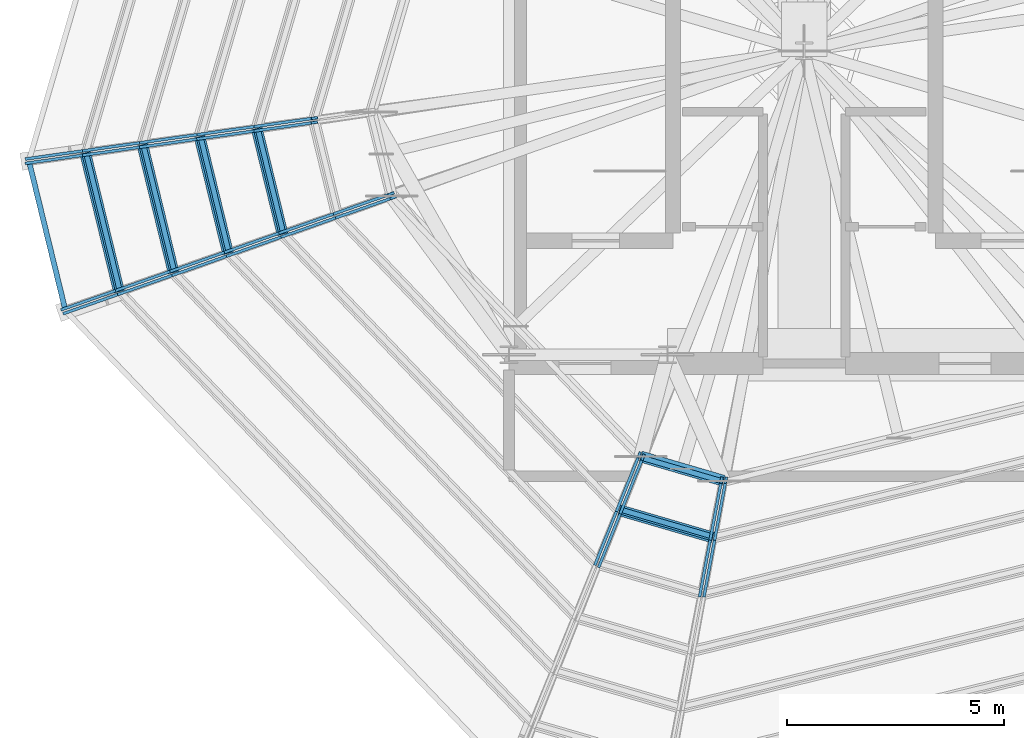
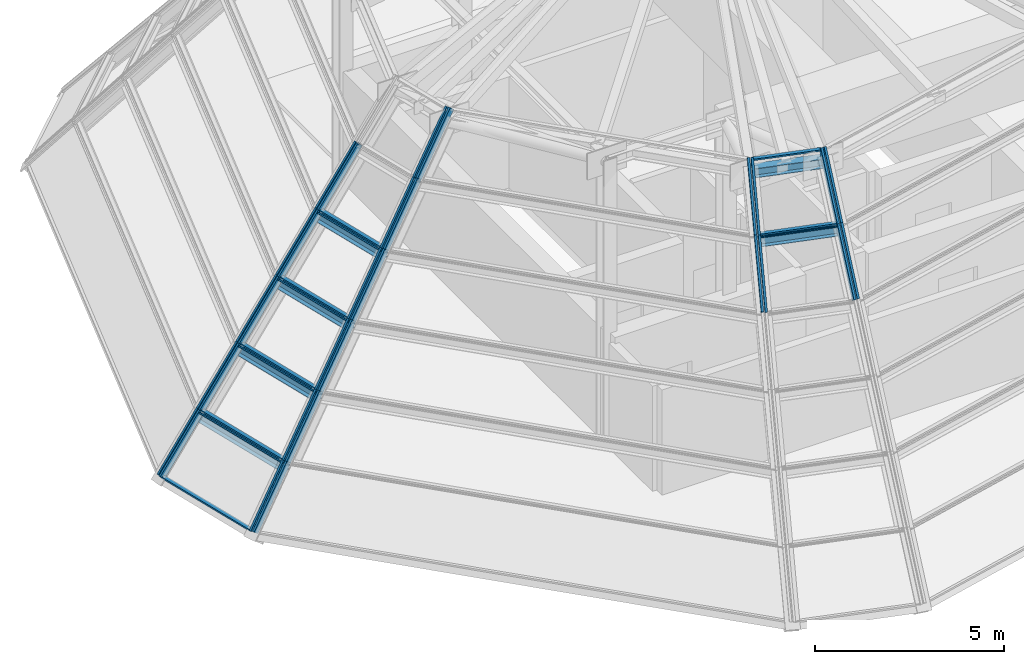
# One storey, part 2 of 13: 42 members, 6 beams, 21 elements without a shape of their own.
"""IFC4 building model written with IfcOpenShell, lengths in metres."""

import ifcopenshell
import ifcopenshell.guid

model = None  # the IFC model being written
_history = None  # IfcOwnerHistory: only IFC2X3 demands one
_inside = {}  # id of a spatial element -> (the spatial element, [elements in it])
_under = {}  # id of a project, library or spatial element -> (it, [spatial elements below it])
_declared = {}  # id of a project -> (the project, [libraries it declares])
_typed = {}  # id of a type object -> (the type object, [elements of that type])
_made_of = {}  # id of a material, layer set ... -> (it, [elements and type objects made of it])


def new_model(schema):
    """Start an empty IFC model of exactly this schema.

    Asked for "IFC4X3", IfcOpenShell would pick the latest addendum, in which some entities
    have other attributes; the version numbers below select the first issue.
    IFC2X3 requires an IfcOwnerHistory on every rooted entity: one is made here for all.
    """
    global model, _history
    if schema == "IFC4X3":
        model = ifcopenshell.file(schema_version=(4, 3, 0, 0))
    else:
        model = ifcopenshell.file(schema=schema)
    _inside.clear()
    _under.clear()
    _declared.clear()
    _typed.clear()
    _made_of.clear()
    _history = None
    if model.schema == "IFC2X3":
        org = make("IfcOrganization", Name="unknown")
        user = make(
            "IfcPersonAndOrganization",
            ThePerson=make("IfcPerson", FamilyName="unknown"),
            TheOrganization=org,
        )
        app = make(
            "IfcApplication",
            ApplicationDeveloper=org,
            Version="unknown",
            ApplicationFullName="unknown",
            ApplicationIdentifier="unknown",
        )
        _history = make(
            "IfcOwnerHistory",
            OwningUser=user,
            OwningApplication=app,
            ChangeAction="ADDED",
            CreationDate=0,
        )
    return model


def make(cls, **values):
    """One entity of the class cls with the attributes given. An attribute that is None is left unset."""
    return model.create_entity(
        cls, **{name: value for name, value in values.items() if value is not None}
    )


def rooted(cls, **values):
    """An entity with a GlobalId (a new one), such as an element, a storey or a relation."""
    return make(cls, GlobalId=ifcopenshell.guid.new(), OwnerHistory=_history, **values)


def si_unit(unit_type, name, prefix=None):
    """IfcSIUnit, for example si_unit("LENGTHUNIT", "METRE", prefix="MILLI")."""
    return make("IfcSIUnit", UnitType=unit_type, Prefix=prefix, Name=name)


def assignment(units):
    """IfcUnitAssignment: the units of a project."""
    return None if units is None else make("IfcUnitAssignment", Units=units)


def point(xyz):
    """IfcCartesianPoint."""
    return None if xyz is None else make("IfcCartesianPoint", Coordinates=xyz)


def direction(xyz):
    """IfcDirection."""
    return None if xyz is None else make("IfcDirection", DirectionRatios=xyz)


def frame(location, z_axis=None, x_axis=None):
    """IfcAxis2Placement3D, a coordinate frame: its origin and axes. An axis left out is left unset."""
    return make(
        "IfcAxis2Placement3D",
        Location=point(location),
        Axis=direction(z_axis),
        RefDirection=direction(x_axis),
    )


def frame_2d(location, x_axis=None):
    """IfcAxis2Placement2D, a coordinate frame in the plane: its origin and x axis."""
    return make(
        "IfcAxis2Placement2D", Location=point(location), RefDirection=direction(x_axis)
    )


def origin():
    """The frame at (0, 0, 0) with its axes left unset."""
    return frame((0.0, 0.0, 0.0))


def origin_2d():
    """The frame at (0, 0) in the plane with its x axis left unset."""
    return frame_2d((0.0, 0.0))


def place(relative_to, where):
    """IfcLocalPlacement: puts the frame where relative to a parent placement (None: the world)."""
    return make(
        "IfcLocalPlacement", PlacementRelTo=relative_to, RelativePlacement=where
    )


def context(
    kind, dimensions, precision=None, world=None, true_north=None, identifier=None
):
    """IfcGeometricRepresentationContext, for example the 3D "Model" context."""
    return make(
        "IfcGeometricRepresentationContext",
        ContextIdentifier=identifier,
        ContextType=kind,
        CoordinateSpaceDimension=dimensions,
        Precision=precision,
        WorldCoordinateSystem=world,
        TrueNorth=true_north,
    )


def subcontext(parent, identifier, kind, view, scale=None):
    """IfcGeometricRepresentationSubContext, for example "Body" below "Model"."""
    return make(
        "IfcGeometricRepresentationSubContext",
        ContextIdentifier=identifier,
        ContextType=kind,
        ParentContext=parent,
        TargetScale=scale,
        TargetView=view,
    )


def project(units=None, contexts=None):
    """IfcProject with its units and contexts."""
    return rooted(
        "IfcProject",
        Name="project",
        RepresentationContexts=contexts,
        UnitsInContext=assignment(units),
    )


def spatial(cls, under=None, at=None, **own):
    """A site, building, storey or space (cls), placed at a placement, below another one or the project."""
    s = rooted(cls, ObjectPlacement=at, **own)
    if under is not None:
        _under.setdefault(under.id(), (under, []))[1].append(s)
    return s


def profile(cls, at=None, kind="AREA", **sizes):
    """A parametric profile (cls). Its sizes go by their IFC names, for example OverallWidth=200.0."""
    return make(cls, ProfileType=kind, Position=at, **sizes)


def hollow_rectangle(**sizes):
    """IfcRectangleHollowProfileDef."""
    return profile("IfcRectangleHollowProfileDef", **sizes)


def i_section(**sizes):
    """IfcIShapeProfileDef."""
    return profile("IfcIShapeProfileDef", **sizes)


def extrude(swept, where, along, depth):
    """IfcExtrudedAreaSolid: the profile swept, set in the frame where, extruded along a direction by depth."""
    return make(
        "IfcExtrudedAreaSolid",
        SweptArea=swept,
        Position=where,
        ExtrudedDirection=direction(along),
        Depth=depth,
    )


def shape(context_of_items, identifier, shape_type, items):
    """IfcShapeRepresentation: the items that make up one representation, for example the "Body"."""
    return make(
        "IfcShapeRepresentation",
        ContextOfItems=context_of_items,
        RepresentationIdentifier=identifier,
        RepresentationType=shape_type,
        Items=items,
    )


def source(mapping_origin, context_of_items, identifier, shape_type, items):
    """IfcRepresentationMap: a shape defined once, which mapped items show again and again."""
    return make(
        "IfcRepresentationMap",
        MappingOrigin=mapping_origin,
        MappedRepresentation=shape(context_of_items, identifier, shape_type, items),
    )


def transform(
    local_origin,
    x_axis=None,
    y_axis=None,
    z_axis=None,
    scale=None,
    scale2=None,
    scale3=None,
    uniform=True,
):
    """IfcCartesianTransformationOperator3D, or its non-uniform kind. x_axis, y_axis, z_axis: its Axis1, 2, 3."""
    if uniform:
        return make(
            "IfcCartesianTransformationOperator3D",
            Axis1=direction(x_axis),
            Axis2=direction(y_axis),
            LocalOrigin=point(local_origin),
            Scale=scale,
            Axis3=direction(z_axis),
        )
    return make(
        "IfcCartesianTransformationOperator3DnonUniform",
        Axis1=direction(x_axis),
        Axis2=direction(y_axis),
        LocalOrigin=point(local_origin),
        Scale=scale,
        Axis3=direction(z_axis),
        Scale2=scale2,
        Scale3=scale3,
    )


def mapped(mapping_source, mapping_target):
    """IfcMappedItem: shows the shape of a source again, moved by a transform."""
    return make(
        "IfcMappedItem", MappingSource=mapping_source, MappingTarget=mapping_target
    )


def material(Name=None, Category=None):
    """IfcMaterial."""
    return make("IfcMaterial", Name=Name, Category=Category)


def layer(
    of_material, thickness, ventilated=None, Name=None, Category=None, Priority=None
):
    """IfcMaterialLayer: one layer of a wall or slab, of a material (None: an air gap)."""
    return make(
        "IfcMaterialLayer",
        Material=of_material,
        LayerThickness=thickness,
        IsVentilated=ventilated,
        Name=Name,
        Category=Category,
        Priority=Priority,
    )


def layer_set(layers, Name=None):
    """IfcMaterialLayerSet."""
    return make("IfcMaterialLayerSet", MaterialLayers=layers, LayerSetName=Name)


def material_profile(
    of_material, cross_section, Name=None, Category=None, Priority=None
):
    """IfcMaterialProfile: a cross section and its material."""
    return make(
        "IfcMaterialProfile",
        Name=Name,
        Material=of_material,
        Profile=cross_section,
        Priority=Priority,
        Category=Category,
    )


def profile_set(profiles, Name=None, composite=None):
    """IfcMaterialProfileSet."""
    return make(
        "IfcMaterialProfileSet",
        Name=Name,
        MaterialProfiles=profiles,
        CompositeProfile=composite,
    )


def made_of(thing, what):
    """Note that an element or type object is made of a material, layer set ...; save() writes the relation."""
    if what is not None:
        _made_of.setdefault(what.id(), (what, []))[1].append(thing)
    return thing


def type_object(cls, material=None, **own):
    """A type object (cls), such as IfcWallType, which elements share."""
    return made_of(rooted(cls, **own), material)


def element(
    cls,
    number,
    at=None,
    inside=None,
    cuts=None,
    type_object=None,
    material=None,
    context=None,
    identifier="Body",
    shape_type=None,
    held_by="IfcProductDefinitionShape",
    body=None,
    shapes=None,
    **own,
):
    """One element of the class cls, such as IfcWall. Its Tag is "e" and its number.

    at: its placement. inside: the storey or other place that contains it. cuts: it is an
    opening in that element (IfcRelVoidsElement). A single representation is given by context,
    identifier, shape_type and body (its items); several are given by shapes. held_by: the class
    of the entity that holds the representations. save() writes the other relations.
    """
    e = rooted(cls, Tag="e%d" % number, ObjectPlacement=at, **own)
    if body is not None:
        shapes = [shape(context, identifier, shape_type, body)]
    if shapes is not None:
        e.Representation = make(held_by, Representations=shapes)
    if inside is not None:
        _inside.setdefault(inside.id(), (inside, []))[1].append(e)
    if cuts is not None:
        rooted(
            "IfcRelVoidsElement", RelatingBuildingElement=cuts, RelatedOpeningElement=e
        )
    if type_object is not None:
        _typed.setdefault(type_object.id(), (type_object, []))[1].append(e)
    return made_of(e, material)


def aggregate(whole, parts):
    """IfcRelAggregates: a whole, such as a stair, and the parts it consists of."""
    return rooted("IfcRelAggregates", RelatingObject=whole, RelatedObjects=parts)


def save(model, path):
    """Write the relations noted so far, then the file.

    IfcRelAggregates (storeys below a building ...), IfcRelContainedInSpatialStructure (elements
    in a storey), IfcRelDefinesByType, IfcRelAssociatesMaterial and IfcRelDeclares: one each for
    every whole, place, type object, material and project.
    """
    for whole, parts in _under.values():
        aggregate(whole, parts)
    for where, things in _inside.values():
        rooted(
            "IfcRelContainedInSpatialStructure",
            RelatedElements=things,
            RelatingStructure=where,
        )
    for kind, things in _typed.values():
        rooted("IfcRelDefinesByType", RelatedObjects=things, RelatingType=kind)
    for what, things in _made_of.values():
        rooted("IfcRelAssociatesMaterial", RelatedObjects=things, RelatingMaterial=what)
    for by, libraries in _declared.values():
        rooted("IfcRelDeclares", RelatingContext=by, RelatedDefinitions=libraries)
    model.write(path)


model = new_model("IFC4")

# Units and contexts
model_context = context("Model", 3, precision=1e-05, world=origin(), true_north=direction((0.0, 1.0)))
body_context = subcontext(model_context, "Body", "Model", "MODEL_VIEW")
ifc_project = project(units=[si_unit("LENGTHUNIT", "METRE"), si_unit("AREAUNIT", "SQUARE_METRE"), si_unit("VOLUMEUNIT", "CUBIC_METRE"), si_unit("PLANEANGLEUNIT", "RADIAN"), si_unit("MASSUNIT", "GRAM", prefix="KILO")], contexts=[model_context])

# Site, building, storey
site_placement = place(None, origin())
site = spatial("IfcSite", under=ifc_project, at=site_placement, CompositionType="ELEMENT")
building_placement = place(site_placement, origin())
building = spatial("IfcBuilding", under=site, at=building_placement, Name="Veraguas Prism Commons", CompositionType="ELEMENT")
storey_placement = place(building_placement, frame((0.0, 0.0, 268.89990234375)))
storey = spatial("IfcBuildingStorey", under=building, at=storey_placement, Name="RF", CompositionType="ELEMENT", Elevation=268.89990234375)

# Beams
ifc_material_1 = material(Name="Steel ASTM A992 Grade 50", Category="steel")
ifc_material_profile_1 = material_profile(ifc_material_1, i_section(OverallWidth=0.25390625, OverallDepth=0.305908203125, WebThickness=0.0087890625, FlangeThickness=0.0146484375, at=origin_2d()), Name="W310X79")
ifc_profile_set_1 = profile_set([ifc_material_profile_1], Name="Steel ASTM A992 Grade 50")
beam_type = type_object("IfcBeamType", Name="Crown Ring Spandrel W310x79", PredefinedType="SPANDREL", material=ifc_profile_set_1)
beam_1_placement = place(storey_placement, frame((7.436279296875, 21.654541015625, 1.430419921875), z_axis=(0.237187799652, -0.971463816977, 0.0), x_axis=(0.971463816977, 0.237187799652, 0.0)))
element("IfcBeam", 1, at=beam_1_placement, inside=storey, type_object=beam_type, Name="Crown Facet Ring Beam T1-V07", PredefinedType="SPANDREL", context=body_context, shape_type="SweptSolid", body=[
    extrude(i_section(OverallWidth=0.25390625, OverallDepth=0.305908203125, WebThickness=0.0087890625, FlangeThickness=0.0146484375, at=origin_2d()), origin(), (0.0, 0.0, 1.0), 3.300048828125),
])
beam_2_placement = place(storey_placement, frame((8.75390625, 21.841064453125, 3.013916015625), z_axis=(0.237198573642, -0.97146118639, 0.0), x_axis=(0.97146118639, 0.237198573642, 0.0)))
element("IfcBeam", 2, at=beam_2_placement, inside=storey, type_object=beam_type, Name="Crown Facet Ring Beam T2-V07", PredefinedType="SPANDREL", context=body_context, shape_type="SweptSolid", body=[
    extrude(i_section(OverallWidth=0.25390625, OverallDepth=0.305908203125, WebThickness=0.0087890625, FlangeThickness=0.0146484375, at=origin_2d()), origin(), (0.0, 0.0, 1.0), 3.037353515625),
])
beam_3_placement = place(storey_placement, frame((10.0712890625, 22.027587890625, 4.59716796875), z_axis=(0.237191112985, -0.971463008004, 0.0), x_axis=(0.971463008004, 0.237191112985, 0.0)))
element("IfcBeam", 3, at=beam_3_placement, inside=storey, type_object=beam_type, Name="Crown Facet Ring Beam T3-V07", PredefinedType="SPANDREL", context=body_context, shape_type="SweptSolid", body=[
    extrude(i_section(OverallWidth=0.25390625, OverallDepth=0.305908203125, WebThickness=0.0087890625, FlangeThickness=0.0146484375, at=origin_2d()), origin(), (0.0, 0.0, 1.0), 2.77490234375),
])
beam_4_placement = place(storey_placement, frame((11.388916015625, 22.21435546875, 6.180419921875), z_axis=(0.237182094175, -0.971465209981, 0.0), x_axis=(0.971465209981, 0.237182094175, 0.0)))
element("IfcBeam", 4, at=beam_4_placement, inside=storey, type_object=beam_type, Name="Crown Facet Ring Beam T4-V07", PredefinedType="SPANDREL", context=body_context, shape_type="SweptSolid", body=[
    extrude(i_section(OverallWidth=0.25390625, OverallDepth=0.305908203125, WebThickness=0.0087890625, FlangeThickness=0.0146484375, at=origin_2d()), origin(), (0.0, 0.0, 1.0), 2.5126953125),
])
beam_5_placement = place(storey_placement, frame((19.73828125, 13.419921875, 7.763916015625), z_axis=(0.959914880708, -0.280291672719, 0.0), x_axis=(0.280291672719, 0.959914880708, 0.0)))
element("IfcBeam", 5, at=beam_5_placement, inside=storey, type_object=beam_type, Name="Crown Facet Ring Beam T5-V09", PredefinedType="SPANDREL", context=body_context, shape_type="SweptSolid", body=[
    extrude(i_section(OverallWidth=0.25390625, OverallDepth=0.305908203125, WebThickness=0.0087890625, FlangeThickness=0.0146484375, at=origin_2d()), origin(), (0.0, 0.0, 1.0), 2.249755859375),
])
beam_6_placement = place(storey_placement, frame((20.2353515625, 14.654296875, 9.067138671875), z_axis=(0.959913285449, -0.280297135943, 0.0), x_axis=(0.280297135943, 0.959913285449, 0.0)))
element("IfcBeam", 6, at=beam_6_placement, inside=storey, type_object=beam_type, Name="Crown Facet Ring Beam T6-V09", PredefinedType="SPANDREL", context=body_context, shape_type="SweptSolid", body=[
    extrude(i_section(OverallWidth=0.25390625, OverallDepth=0.305908203125, WebThickness=0.0087890625, FlangeThickness=0.0146484375, at=origin_2d()), origin(), (0.0, 0.0, 1.0), 1.987548828125),
])

# Curtain wall, member
ifc_material_2 = material(Name="Anodised aluminium EN AW-6063 T6", Category="aluminium")
ifc_layer = layer(ifc_material_2, 0.199951171875, Name="Faceted Glass Point Crown Curtain Wall", Category="aluminium")
ifc_layer_set = layer_set([ifc_layer], Name="Anodised aluminium EN AW-6063 T6")
curtain_wall_type = type_object("IfcCurtainWallType", Name="Faceted Glass Point Crown Curtain Wall", PredefinedType="NOTDEFINED", material=ifc_layer_set)
curtain_wall_1_placement = place(storey_placement, origin())
curtain_wall_1 = element("IfcCurtainWall", 7, at=curtain_wall_1_placement, inside=storey, type_object=curtain_wall_type, Name="Crown Glass-Point Facet T1-F06", PredefinedType="NOTDEFINED")
ifc_material_profile_2 = material_profile(ifc_material_2, hollow_rectangle(XDim=0.06494140625, YDim=0.199951171875, WallThickness=0.00390625, at=origin_2d()), Name="AL65X200X4")
ifc_profile_set_2 = profile_set([ifc_material_profile_2], Name="Anodised aluminium EN AW-6063 T6")
member_type_1 = type_object("IfcMemberType", Name="Curtain Wall Mullion Heavy AL 65x200x4", PredefinedType="MULLION", material=ifc_profile_set_2)
shared_shape_1 = source(origin(), body_context, "Body", "SweptSolid", [
    extrude(hollow_rectangle(XDim=0.06494140625, YDim=0.199951171875, WallThickness=0.00390625, at=origin_2d()), origin(), (0.0, 0.0, 1.0), 2.068359375),
])
member_1_placement = place(storey_placement, frame((6.13330078125, 21.518310546875, 0.0), z_axis=(0.637018728137, 0.090176451417, 0.765555581008), x_axis=(-0.140162712882, 0.99012848354, 0.0)))
member_1 = element("IfcMember", 8, at=member_1_placement, type_object=member_type_1, Name="CW-CRN Mullion 2", PredefinedType="MULLION", context=body_context, shape_type="MappedRepresentation", body=[
    mapped(shared_shape_1, transform((0.0, 0.0, 0.0), scale=1.0)),
])
aggregate(curtain_wall_1, [member_1])

# Curtain wall, members
curtain_wall_2_placement = place(storey_placement, origin())
curtain_wall_2 = element("IfcCurtainWall", 9, at=curtain_wall_2_placement, inside=storey, type_object=curtain_wall_type, Name="Crown Glass-Point Facet T1-F07", PredefinedType="NOTDEFINED")
member_2_placement = place(storey_placement, frame((6.131103515625, 21.4169921875, 0.0), z_axis=(0.637018728137, 0.090176451417, 0.765555581008), x_axis=(-0.140162712882, 0.99012848354, 0.0)))
member_2 = element("IfcMember", 10, at=member_2_placement, type_object=member_type_1, Name="CW-CRN Mullion 1", PredefinedType="MULLION", context=body_context, shape_type="MappedRepresentation", body=[
    mapped(shared_shape_1, transform((0.0, 0.0, 0.0), scale=1.0)),
])
member_3_placement = place(storey_placement, frame((6.951171875, 18.05810546875, 0.0), z_axis=(0.606914901994, 0.213517903094, 0.765548435304), x_axis=(-0.331869934634, 0.943325154168, 0.0)))
member_3 = element("IfcMember", 11, at=member_3_placement, type_object=member_type_1, Name="CW-CRN Mullion 2", PredefinedType="MULLION", context=body_context, shape_type="MappedRepresentation", body=[
    mapped(shared_shape_1, transform((0.0, 0.0, 0.0), scale=1.0)),
])

# Curtain wall, member
curtain_wall_3_placement = place(storey_placement, origin())
curtain_wall_3 = element("IfcCurtainWall", 12, at=curtain_wall_3_placement, inside=storey, type_object=curtain_wall_type, Name="Crown Glass-Point Facet T1-F08", PredefinedType="NOTDEFINED")
member_4_placement = place(storey_placement, frame((7.0, 17.968994140625, 0.0), z_axis=(0.606914901994, 0.213517903094, 0.765548435304), x_axis=(-0.331869934634, 0.943325154168, 0.0)))
member_4 = element("IfcMember", 13, at=member_4_placement, type_object=member_type_1, Name="CW-CRN Mullion 1", PredefinedType="MULLION", context=body_context, shape_type="MappedRepresentation", body=[
    mapped(shared_shape_1, transform((0.0, 0.0, 0.0), scale=1.0)),
])
aggregate(curtain_wall_3, [member_4])

curtain_wall_4_placement = place(storey_placement, origin())
curtain_wall_4 = element("IfcCurtainWall", 14, at=curtain_wall_4_placement, inside=storey, type_object=curtain_wall_type, Name="Crown Glass-Point Facet T2-F06", PredefinedType="NOTDEFINED")
member_5_placement = place(storey_placement, frame((7.450927734375, 21.704833984375, 1.58349609375), z_axis=(0.637069506143, 0.090301680971, 0.765498563524), x_axis=(-0.14034256083, 0.99010300758, 0.0)))
member_5 = element("IfcMember", 15, at=member_5_placement, type_object=member_type_1, Name="CW-CRN Mullion 2", PredefinedType="MULLION", context=body_context, shape_type="MappedRepresentation", body=[
    mapped(shared_shape_1, transform((0.0, 0.0, 0.0), scale=1.0)),
])
aggregate(curtain_wall_4, [member_5])

curtain_wall_5_placement = place(storey_placement, origin())
curtain_wall_5 = element("IfcCurtainWall", 16, at=curtain_wall_5_placement, inside=storey, type_object=curtain_wall_type, Name="Crown Glass-Point Facet T2-F07", PredefinedType="NOTDEFINED")
member_6_placement = place(storey_placement, frame((7.44873046875, 21.603515625, 1.58349609375), z_axis=(0.637076292552, 0.090184600243, 0.765506718029), x_axis=(-0.140162712882, 0.99012848354, 0.0)))
member_6 = element("IfcMember", 17, at=member_6_placement, type_object=member_type_1, Name="CW-CRN Mullion 1", PredefinedType="MULLION", context=body_context, shape_type="MappedRepresentation", body=[
    mapped(shared_shape_1, transform((0.0, 0.0, 0.0), scale=1.0)),
])

curtain_wall_6_placement = place(storey_placement, origin())
curtain_wall_6 = element("IfcCurtainWall", 18, at=curtain_wall_6_placement, inside=storey, type_object=curtain_wall_type, Name="Crown Glass-Point Facet T3-F06", PredefinedType="NOTDEFINED")
member_7_placement = place(storey_placement, frame((8.7685546875, 21.8916015625, 3.166748046875), z_axis=(0.637076292552, 0.090184600243, 0.765506718029), x_axis=(-0.140162712882, 0.99012848354, 0.0)))
member_7 = element("IfcMember", 19, at=member_7_placement, type_object=member_type_1, Name="CW-CRN Mullion 2", PredefinedType="MULLION", context=body_context, shape_type="MappedRepresentation", body=[
    mapped(shared_shape_1, transform((0.0, 0.0, 0.0), scale=1.0)),
])
aggregate(curtain_wall_6, [member_7])

curtain_wall_7_placement = place(storey_placement, origin())
curtain_wall_7 = element("IfcCurtainWall", 20, at=curtain_wall_7_placement, inside=storey, type_object=curtain_wall_type, Name="Crown Glass-Point Facet T3-F07", PredefinedType="NOTDEFINED")
member_8_placement = place(storey_placement, frame((9.4619140625, 18.941162109375, 3.166748046875), z_axis=(0.606969745042, 0.213537197352, 0.765499571489), x_axis=(-0.331869934634, 0.943325154168, 0.0)))
member_8 = element("IfcMember", 21, at=member_8_placement, type_object=member_type_1, Name="CW-CRN Mullion 2", PredefinedType="MULLION", context=body_context, shape_type="MappedRepresentation", body=[
    mapped(shared_shape_1, transform((0.0, 0.0, 0.0), scale=1.0)),
])

curtain_wall_8_placement = place(storey_placement, origin())
curtain_wall_8 = element("IfcCurtainWall", 22, at=curtain_wall_8_placement, inside=storey, type_object=curtain_wall_type, Name="Crown Glass-Point Facet T3-F08", PredefinedType="NOTDEFINED")
member_9_placement = place(storey_placement, frame((9.510498046875, 18.852294921875, 3.166748046875), z_axis=(0.606969745042, 0.213537197352, 0.765499571489), x_axis=(-0.331869934634, 0.943325154168, 0.0)))
member_9 = element("IfcMember", 23, at=member_9_placement, type_object=member_type_1, Name="CW-CRN Mullion 1", PredefinedType="MULLION", context=body_context, shape_type="MappedRepresentation", body=[
    mapped(shared_shape_1, transform((0.0, 0.0, 0.0), scale=1.0)),
])
aggregate(curtain_wall_8, [member_9])

curtain_wall_9_placement = place(storey_placement, origin())
curtain_wall_9 = element("IfcCurtainWall", 24, at=curtain_wall_9_placement, inside=storey, type_object=curtain_wall_type, Name="Crown Glass-Point Facet T4-F06", PredefinedType="NOTDEFINED")
member_10_placement = place(storey_placement, frame((10.086181640625, 22.078125, 4.75), z_axis=(0.637018728137, 0.090176451417, 0.765555581008), x_axis=(-0.140162712882, 0.99012848354, 0.0)))
member_10 = element("IfcMember", 25, at=member_10_placement, type_object=member_type_1, Name="CW-CRN Mullion 2", PredefinedType="MULLION", context=body_context, shape_type="MappedRepresentation", body=[
    mapped(shared_shape_1, transform((0.0, 0.0, 0.0), scale=1.0)),
])
aggregate(curtain_wall_9, [member_10])

# Curtain wall, members
curtain_wall_10_placement = place(storey_placement, origin())
curtain_wall_10 = element("IfcCurtainWall", 26, at=curtain_wall_10_placement, inside=storey, type_object=curtain_wall_type, Name="Crown Glass-Point Facet T4-F07", PredefinedType="NOTDEFINED")
member_11_placement = place(storey_placement, frame((10.083740234375, 21.976806640625, 4.75), z_axis=(0.637018728137, 0.090176451417, 0.765555581008), x_axis=(-0.140162712882, 0.99012848354, 0.0)))
member_11 = element("IfcMember", 27, at=member_11_placement, type_object=member_type_1, Name="CW-CRN Mullion 1", PredefinedType="MULLION", context=body_context, shape_type="MappedRepresentation", body=[
    mapped(shared_shape_1, transform((0.0, 0.0, 0.0), scale=1.0)),
])
member_12_placement = place(storey_placement, frame((10.71728515625, 19.3828125, 4.75), z_axis=(0.606840339255, 0.213533198544, 0.765603275707), x_axis=(-0.331927376585, 0.943304943628, 0.0)))
member_12 = element("IfcMember", 28, at=member_12_placement, type_object=member_type_1, Name="CW-CRN Mullion 2", PredefinedType="MULLION", context=body_context, shape_type="MappedRepresentation", body=[
    mapped(shared_shape_1, transform((0.0, 0.0, 0.0), scale=1.0)),
])

# Curtain wall, member
curtain_wall_11_placement = place(storey_placement, origin())
curtain_wall_11 = element("IfcCurtainWall", 29, at=curtain_wall_11_placement, inside=storey, type_object=curtain_wall_type, Name="Crown Glass-Point Facet T4-F08", PredefinedType="NOTDEFINED")
member_13_placement = place(storey_placement, frame((10.765869140625, 19.2939453125, 4.75), z_axis=(0.606930193638, 0.213405248949, 0.765567723831), x_axis=(-0.331706670109, 0.943382576162, 0.0)))
member_13 = element("IfcMember", 30, at=member_13_placement, type_object=member_type_1, Name="CW-CRN Mullion 1", PredefinedType="MULLION", context=body_context, shape_type="MappedRepresentation", body=[
    mapped(shared_shape_1, transform((0.0, 0.0, 0.0), scale=1.0)),
])
aggregate(curtain_wall_11, [member_13])

curtain_wall_12_placement = place(storey_placement, origin())
curtain_wall_12 = element("IfcCurtainWall", 31, at=curtain_wall_12_placement, inside=storey, type_object=curtain_wall_type, Name="Crown Glass-Point Facet T5-F07", PredefinedType="NOTDEFINED")
member_14_placement = place(storey_placement, frame((11.4013671875, 22.163330078125, 6.33349609375), z_axis=(0.637076292552, 0.090184600243, 0.765506718029), x_axis=(-0.140162712882, 0.99012848354, 0.0)))
member_14 = element("IfcMember", 32, at=member_14_placement, type_object=member_type_1, Name="CW-CRN Mullion 1", PredefinedType="MULLION", context=body_context, shape_type="MappedRepresentation", body=[
    mapped(shared_shape_1, transform((0.0, 0.0, 0.0), scale=1.0)),
])

curtain_wall_13_placement = place(storey_placement, origin())
curtain_wall_13 = element("IfcCurtainWall", 33, at=curtain_wall_13_placement, inside=storey, type_object=curtain_wall_type, Name="Crown Glass-Point Facet T5-F10", PredefinedType="NOTDEFINED")
member_15_placement = place(storey_placement, frame((21.703857421875, 11.49365234375, 6.33349609375), z_axis=(0.118510816088, 0.632451148008, 0.765480719453), x_axis=(-0.982892947939, 0.184177775239, 0.0)))
member_15 = element("IfcMember", 34, at=member_15_placement, type_object=member_type_1, Name="CW-CRN Mullion 1", PredefinedType="MULLION", context=body_context, shape_type="MappedRepresentation", body=[
    mapped(shared_shape_1, transform((0.0, 0.0, 0.0), scale=1.0)),
])
aggregate(curtain_wall_13, [member_15])

curtain_wall_14_placement = place(storey_placement, origin())
curtain_wall_14 = element("IfcCurtainWall", 35, at=curtain_wall_14_placement, inside=storey, type_object=curtain_wall_type, Name="Crown Glass-Point Facet T6-F07", PredefinedType="NOTDEFINED")
member_16_placement = place(storey_placement, frame((13.227783203125, 20.265869140625, 7.916748046875), z_axis=(0.606969745042, 0.213537197352, 0.765499571489), x_axis=(-0.331869934634, 0.943325154168, 0.0)))
member_16 = element("IfcMember", 36, at=member_16_placement, type_object=member_type_1, Name="CW-CRN Mullion 2", PredefinedType="MULLION", context=body_context, shape_type="MappedRepresentation", body=[
    mapped(shared_shape_1, transform((0.0, 0.0, 0.0), scale=1.0)),
])
aggregate(curtain_wall_14, [member_16])

# Curtain wall, members
curtain_wall_15_placement = place(storey_placement, origin())
curtain_wall_15 = element("IfcCurtainWall", 37, at=curtain_wall_15_placement, inside=storey, type_object=curtain_wall_type, Name="Crown Glass-Point Facet T6-F08", PredefinedType="NOTDEFINED")
member_17_placement = place(storey_placement, frame((13.2763671875, 20.177001953125, 7.916748046875), z_axis=(0.606969745042, 0.213537197352, 0.765499571489), x_axis=(-0.331869934634, 0.943325154168, 0.0)))
member_17 = element("IfcMember", 38, at=member_17_placement, type_object=member_type_1, Name="CW-CRN Mullion 1", PredefinedType="MULLION", context=body_context, shape_type="MappedRepresentation", body=[
    mapped(shared_shape_1, transform((0.0, 0.0, 0.0), scale=1.0)),
])
member_18_placement = place(storey_placement, frame((19.701904296875, 13.4580078125, 7.916748046875), z_axis=(0.240450909489, 0.596818752272, 0.765500318133), x_axis=(-0.927550217009, 0.37369853482, 0.0)))
member_18 = element("IfcMember", 39, at=member_18_placement, type_object=member_type_1, Name="CW-CRN Mullion 2", PredefinedType="MULLION", context=body_context, shape_type="MappedRepresentation", body=[
    mapped(shared_shape_1, transform((0.0, 0.0, 0.0), scale=1.0)),
])
aggregate(curtain_wall_15, [member_17, member_18])

# Curtain wall, member
curtain_wall_16_placement = place(storey_placement, origin())
curtain_wall_16 = element("IfcCurtainWall", 40, at=curtain_wall_16_placement, inside=storey, type_object=curtain_wall_type, Name="Crown Glass-Point Facet T6-F09", PredefinedType="NOTDEFINED")
member_19_placement = place(storey_placement, frame((19.78857421875, 13.4052734375, 7.916748046875), z_axis=(0.240450909489, 0.596818752272, 0.765500318133), x_axis=(-0.927550217009, 0.37369853482, 0.0)))
member_19 = element("IfcMember", 41, at=member_19_placement, type_object=member_type_1, Name="CW-CRN Mullion 1", PredefinedType="MULLION", context=body_context, shape_type="MappedRepresentation", body=[
    mapped(shared_shape_1, transform((0.0, 0.0, 0.0), scale=1.0)),
])

# Member
ifc_material_profile_3 = material_profile(ifc_material_2, hollow_rectangle(XDim=0.050048828125, YDim=0.1201171875, WallThickness=0.0029296875, at=origin_2d()), Name="AL50X120X3")
ifc_profile_set_3 = profile_set([ifc_material_profile_3], Name="Anodised aluminium EN AW-6063 T6")
member_type_2 = type_object("IfcMemberType", Name="Curtain Wall Transom Crown AL 50x120x3", PredefinedType="USERDEFINED", material=ifc_profile_set_3)
shared_shape_2 = source(origin(), body_context, "Body", "SweptSolid", [
    extrude(hollow_rectangle(XDim=0.050048828125, YDim=0.1201171875, WallThickness=0.0029296875, at=origin_2d()), origin(), (0.0, 0.0, 1.0), 3.45361328125),
])
member_20_placement = place(storey_placement, frame((6.15185546875, 21.419921875, 0.025146484375), z_axis=(0.237242589873, -0.971450438031, 0.0), x_axis=(0.0, 0.0, 1.0)))
member_20 = element("IfcMember", 42, at=member_20_placement, type_object=member_type_2, Name="CW-CRN Transom 1", ObjectType="TRANSOM", PredefinedType="USERDEFINED", context=body_context, shape_type="MappedRepresentation", body=[
    mapped(shared_shape_2, transform((0.0, 0.0, 0.0), scale=1.0)),
])

shared_shape_3 = source(origin(), body_context, "Body", "SweptSolid", [
    extrude(hollow_rectangle(XDim=0.050048828125, YDim=0.1201171875, WallThickness=0.0029296875, at=origin_2d()), origin(), (0.0, 0.0, 1.0), 3.19921875),
])
member_21_placement = place(storey_placement, frame((7.427978515625, 21.6005859375, 1.558349609375), z_axis=(0.237181042472, -0.971465466752, 0.0), x_axis=(0.0, 0.0, 1.0)))
member_21 = element("IfcMember", 43, at=member_21_placement, type_object=member_type_2, Name="CW-CRN Transom 2", ObjectType="TRANSOM", PredefinedType="USERDEFINED", context=body_context, shape_type="MappedRepresentation", body=[
    mapped(shared_shape_3, transform((0.0, 0.0, 0.0), scale=1.0)),
])

aggregate(curtain_wall_2, [member_2, member_3, member_20, member_21])

shared_shape_4 = source(origin(), body_context, "Body", "SweptSolid", [
    extrude(hollow_rectangle(XDim=0.06494140625, YDim=0.199951171875, WallThickness=0.00390625, at=origin_2d()), origin(), (0.0, 0.0, 1.0), 2.068115234375),
])
member_22_placement = place(storey_placement, frame((8.20654296875, 18.499755859375, 1.58349609375), z_axis=(0.606985040832, 0.213424533999, 0.765518862271), x_axis=(-0.331706670109, 0.943382576162, 0.0)))
member_22 = element("IfcMember", 44, at=member_22_placement, type_object=member_type_1, Name="CW-CRN Mullion 2", PredefinedType="MULLION", context=body_context, shape_type="MappedRepresentation", body=[
    mapped(shared_shape_4, transform((0.0, 0.0, 0.0), scale=1.0)),
])

# Curtain wall, member
curtain_wall_17_placement = place(storey_placement, origin())
curtain_wall_17 = element("IfcCurtainWall", 45, at=curtain_wall_17_placement, inside=storey, type_object=curtain_wall_type, Name="Crown Glass-Point Facet T2-F08", PredefinedType="NOTDEFINED")
member_23_placement = place(storey_placement, frame((8.25537109375, 18.41064453125, 1.58349609375), z_axis=(0.606895183423, 0.213552496949, 0.765554418304), x_axis=(-0.331927376585, 0.943304943628, 0.0)))
member_23 = element("IfcMember", 46, at=member_23_placement, type_object=member_type_1, Name="CW-CRN Mullion 1", PredefinedType="MULLION", context=body_context, shape_type="MappedRepresentation", body=[
    mapped(shared_shape_4, transform((0.0, 0.0, 0.0), scale=1.0)),
])
aggregate(curtain_wall_17, [member_23])

# Member
member_24_placement = place(storey_placement, frame((8.766357421875, 21.7900390625, 3.166748046875), z_axis=(0.636999364818, 0.090308471847, 0.765556130623), x_axis=(-0.140368057052, 0.990099393273, 0.0)))
member_24 = element("IfcMember", 47, at=member_24_placement, type_object=member_type_1, Name="CW-CRN Mullion 1", PredefinedType="MULLION", context=body_context, shape_type="MappedRepresentation", body=[
    mapped(shared_shape_4, transform((0.0, 0.0, 0.0), scale=1.0)),
])

# Curtain wall, member
curtain_wall_18_placement = place(storey_placement, origin())
curtain_wall_18 = element("IfcCurtainWall", 48, at=curtain_wall_18_placement, inside=storey, type_object=curtain_wall_type, Name="Crown Glass-Point Facet T5-F06", PredefinedType="NOTDEFINED")
member_25_placement = place(storey_placement, frame((11.40380859375, 22.2646484375, 6.33349609375), z_axis=(0.6370061515, 0.090191382459, 0.765564286968), x_axis=(-0.140188177742, 0.990124878397, 0.0)))
member_25 = element("IfcMember", 49, at=member_25_placement, type_object=member_type_1, Name="CW-CRN Mullion 2", PredefinedType="MULLION", context=body_context, shape_type="MappedRepresentation", body=[
    mapped(shared_shape_4, transform((0.0, 0.0, 0.0), scale=1.0)),
])
aggregate(curtain_wall_18, [member_25])

# Member
member_26_placement = place(storey_placement, frame((11.972412109375, 19.824462890625, 6.33349609375), z_axis=(0.606985040832, 0.213424533999, 0.765518862271), x_axis=(-0.331706670109, 0.943382576162, 0.0)))
member_26 = element("IfcMember", 50, at=member_26_placement, type_object=member_type_1, Name="CW-CRN Mullion 2", PredefinedType="MULLION", context=body_context, shape_type="MappedRepresentation", body=[
    mapped(shared_shape_4, transform((0.0, 0.0, 0.0), scale=1.0)),
])

# Curtain wall, members
curtain_wall_19_placement = place(storey_placement, origin())
curtain_wall_19 = element("IfcCurtainWall", 51, at=curtain_wall_19_placement, inside=storey, type_object=curtain_wall_type, Name="Crown Glass-Point Facet T5-F08", PredefinedType="NOTDEFINED")
member_27_placement = place(storey_placement, frame((12.021240234375, 19.7353515625, 6.33349609375), z_axis=(0.606895183423, 0.213552496949, 0.765554418304), x_axis=(-0.331927376585, 0.943304943628, 0.0)))
member_27 = element("IfcMember", 52, at=member_27_placement, type_object=member_type_1, Name="CW-CRN Mullion 1", PredefinedType="MULLION", context=body_context, shape_type="MappedRepresentation", body=[
    mapped(shared_shape_4, transform((0.0, 0.0, 0.0), scale=1.0)),
])
member_28_placement = place(storey_placement, frame((19.204833984375, 12.2236328125, 6.33349609375), z_axis=(0.240339687845, 0.596835688479, 0.765522041097), x_axis=(-0.927613797991, 0.373540682894, 0.0)))
member_28 = element("IfcMember", 53, at=member_28_placement, type_object=member_type_1, Name="CW-CRN Mullion 2", PredefinedType="MULLION", context=body_context, shape_type="MappedRepresentation", body=[
    mapped(shared_shape_4, transform((0.0, 0.0, 0.0), scale=1.0)),
])
aggregate(curtain_wall_19, [member_27, member_28])

curtain_wall_20_placement = place(storey_placement, origin())
curtain_wall_20 = element("IfcCurtainWall", 54, at=curtain_wall_20_placement, inside=storey, type_object=curtain_wall_type, Name="Crown Glass-Point Facet T5-F09", PredefinedType="NOTDEFINED")
member_29_placement = place(storey_placement, frame((19.29150390625, 12.1708984375, 6.33349609375), z_axis=(0.240339687845, 0.596835688479, 0.765522041097), x_axis=(-0.927613797991, 0.373540682894, 0.0)))
member_29 = element("IfcMember", 55, at=member_29_placement, type_object=member_type_1, Name="CW-CRN Mullion 1", PredefinedType="MULLION", context=body_context, shape_type="MappedRepresentation", body=[
    mapped(shared_shape_4, transform((0.0, 0.0, 0.0), scale=1.0)),
])
member_30_placement = place(storey_placement, frame((21.602294921875, 11.49609375, 6.33349609375), z_axis=(0.11863605035, 0.632371464405, 0.765527150768), x_axis=(-0.982853488619, 0.184388231484, 0.0)))
member_30 = element("IfcMember", 56, at=member_30_placement, type_object=member_type_1, Name="CW-CRN Mullion 2", PredefinedType="MULLION", context=body_context, shape_type="MappedRepresentation", body=[
    mapped(shared_shape_4, transform((0.0, 0.0, 0.0), scale=1.0)),
])

# Member
member_31_placement = place(storey_placement, frame((21.84765625, 12.803955078125, 7.916748046875), z_axis=(0.118519663522, 0.632380316225, 0.765537866477), x_axis=(-0.982886723569, 0.184210989446, 0.0)))
member_31 = element("IfcMember", 57, at=member_31_placement, type_object=member_type_1, Name="CW-CRN Mullion 2", PredefinedType="MULLION", context=body_context, shape_type="MappedRepresentation", body=[
    mapped(shared_shape_4, transform((0.0, 0.0, 0.0), scale=1.0)),
])

# Curtain wall, member
curtain_wall_21_placement = place(storey_placement, origin())
curtain_wall_21 = element("IfcCurtainWall", 58, at=curtain_wall_21_placement, inside=storey, type_object=curtain_wall_type, Name="Crown Glass-Point Facet T6-F10", PredefinedType="NOTDEFINED")
member_32_placement = place(storey_placement, frame((21.948974609375, 12.8017578125, 7.916748046875), z_axis=(0.118519663522, 0.632380316225, 0.765537866477), x_axis=(-0.982886723569, 0.184210989446, 0.0)))
member_32 = element("IfcMember", 59, at=member_32_placement, type_object=member_type_1, Name="CW-CRN Mullion 1", PredefinedType="MULLION", context=body_context, shape_type="MappedRepresentation", body=[
    mapped(shared_shape_4, transform((0.0, 0.0, 0.0), scale=1.0)),
])
aggregate(curtain_wall_21, [member_32])

# Member
shared_shape_5 = source(origin(), body_context, "Body", "SweptSolid", [
    extrude(hollow_rectangle(XDim=0.050048828125, YDim=0.1201171875, WallThickness=0.0029296875, at=origin_2d()), origin(), (0.0, 0.0, 1.0), 3.19091796875),
])
member_33_placement = place(storey_placement, frame((7.469482421875, 21.6064453125, 1.6083984375), z_axis=(0.237185149148, -0.971464464107, 0.0), x_axis=(0.0, 0.0, 1.0)))
member_33 = element("IfcMember", 60, at=member_33_placement, type_object=member_type_2, Name="CW-CRN Transom 1", ObjectType="TRANSOM", PredefinedType="USERDEFINED", context=body_context, shape_type="MappedRepresentation", body=[
    mapped(shared_shape_5, transform((0.0, 0.0, 0.0), scale=1.0)),
])

shared_shape_6 = source(origin(), body_context, "Body", "SweptSolid", [
    extrude(hollow_rectangle(XDim=0.050048828125, YDim=0.1201171875, WallThickness=0.0029296875, at=origin_2d()), origin(), (0.0, 0.0, 1.0), 2.9365234375),
])
member_34_placement = place(storey_placement, frame((8.74560546875, 21.787109375, 3.141845703125), z_axis=(0.237191581956, -0.971462893501, 0.0), x_axis=(0.0, 0.0, 1.0)))
member_34 = element("IfcMember", 61, at=member_34_placement, type_object=member_type_2, Name="CW-CRN Transom 2", ObjectType="TRANSOM", PredefinedType="USERDEFINED", context=body_context, shape_type="MappedRepresentation", body=[
    mapped(shared_shape_6, transform((0.0, 0.0, 0.0), scale=1.0)),
])

aggregate(curtain_wall_5, [member_6, member_22, member_33, member_34])

shared_shape_7 = source(origin(), body_context, "Body", "SweptSolid", [
    extrude(hollow_rectangle(XDim=0.050048828125, YDim=0.1201171875, WallThickness=0.0029296875, at=origin_2d()), origin(), (0.0, 0.0, 1.0), 2.92822265625),
])
member_35_placement = place(storey_placement, frame((8.787109375, 21.79296875, 3.19189453125), z_axis=(0.237196086749, -0.971461793603, 0.0), x_axis=(0.0, 0.0, 1.0)))
member_35 = element("IfcMember", 62, at=member_35_placement, type_object=member_type_2, Name="CW-CRN Transom 1", ObjectType="TRANSOM", PredefinedType="USERDEFINED", context=body_context, shape_type="MappedRepresentation", body=[
    mapped(shared_shape_7, transform((0.0, 0.0, 0.0), scale=1.0)),
])

shared_shape_8 = source(origin(), body_context, "Body", "SweptSolid", [
    extrude(hollow_rectangle(XDim=0.050048828125, YDim=0.1201171875, WallThickness=0.0029296875, at=origin_2d()), origin(), (0.0, 0.0, 1.0), 2.67431640625),
])
member_36_placement = place(storey_placement, frame((10.06298828125, 21.973876953125, 4.72509765625), z_axis=(0.237183154139, -0.971464951191, 0.0), x_axis=(0.0, 0.0, 1.0)))
member_36 = element("IfcMember", 63, at=member_36_placement, type_object=member_type_2, Name="CW-CRN Transom 2", ObjectType="TRANSOM", PredefinedType="USERDEFINED", context=body_context, shape_type="MappedRepresentation", body=[
    mapped(shared_shape_8, transform((0.0, 0.0, 0.0), scale=1.0)),
])

aggregate(curtain_wall_7, [member_24, member_8, member_35, member_36])

shared_shape_9 = source(origin(), body_context, "Body", "SweptSolid", [
    extrude(hollow_rectangle(XDim=0.050048828125, YDim=0.1201171875, WallThickness=0.0029296875, at=origin_2d()), origin(), (0.0, 0.0, 1.0), 2.666015625),
])
member_37_placement = place(storey_placement, frame((10.1044921875, 21.979736328125, 4.775146484375), z_axis=(0.237274499647, -0.971442644636, 0.0), x_axis=(0.0, 0.0, 1.0)))
member_37 = element("IfcMember", 64, at=member_37_placement, type_object=member_type_2, Name="CW-CRN Transom 1", ObjectType="TRANSOM", PredefinedType="USERDEFINED", context=body_context, shape_type="MappedRepresentation", body=[
    mapped(shared_shape_9, transform((0.0, 0.0, 0.0), scale=1.0)),
])

shared_shape_10 = source(origin(), body_context, "Body", "SweptSolid", [
    extrude(hollow_rectangle(XDim=0.050048828125, YDim=0.1201171875, WallThickness=0.0029296875, at=origin_2d()), origin(), (0.0, 0.0, 1.0), 2.411865234375),
])
member_38_placement = place(storey_placement, frame((11.380615234375, 22.160400390625, 6.308349609375), z_axis=(0.237172892627, -0.971467456482, 0.0), x_axis=(0.0, 0.0, 1.0)))
member_38 = element("IfcMember", 65, at=member_38_placement, type_object=member_type_2, Name="CW-CRN Transom 2", ObjectType="TRANSOM", PredefinedType="USERDEFINED", context=body_context, shape_type="MappedRepresentation", body=[
    mapped(shared_shape_10, transform((0.0, 0.0, 0.0), scale=1.0)),
])

aggregate(curtain_wall_10, [member_11, member_12, member_37, member_38])

shared_shape_11 = source(origin(), body_context, "Body", "SweptSolid", [
    extrude(hollow_rectangle(XDim=0.050048828125, YDim=0.1201171875, WallThickness=0.0029296875, at=origin_2d()), origin(), (0.0, 0.0, 1.0), 2.403564453125),
])
member_39_placement = place(storey_placement, frame((11.422119140625, 22.166259765625, 6.3583984375), z_axis=(0.237274174349, -0.97144272409, 0.0), x_axis=(0.0, 0.0, 1.0)))
member_39 = element("IfcMember", 66, at=member_39_placement, type_object=member_type_2, Name="CW-CRN Transom 1", ObjectType="TRANSOM", PredefinedType="USERDEFINED", context=body_context, shape_type="MappedRepresentation", body=[
    mapped(shared_shape_11, transform((0.0, 0.0, 0.0), scale=1.0)),
])

aggregate(curtain_wall_12, [member_14, member_26, member_39])

shared_shape_12 = source(origin(), body_context, "Body", "SweptSolid", [
    extrude(hollow_rectangle(XDim=0.050048828125, YDim=0.1201171875, WallThickness=0.0029296875, at=origin_2d()), origin(), (0.0, 0.0, 1.0), 2.149169921875),
])
member_40_placement = place(storey_placement, frame((19.78076171875, 13.3857421875, 7.891845703125), z_axis=(0.959926171624, -0.280253001822, 0.0), x_axis=(0.0, 0.0, 1.0)))
member_40 = element("IfcMember", 67, at=member_40_placement, type_object=member_type_2, Name="CW-CRN Transom 2", ObjectType="TRANSOM", PredefinedType="USERDEFINED", context=body_context, shape_type="MappedRepresentation", body=[
    mapped(shared_shape_12, transform((0.0, 0.0, 0.0), scale=1.0)),
])

aggregate(curtain_wall_20, [member_29, member_30, member_40])

shared_shape_13 = source(origin(), body_context, "Body", "SweptSolid", [
    extrude(hollow_rectangle(XDim=0.050048828125, YDim=0.1201171875, WallThickness=0.0029296875, at=origin_2d()), origin(), (0.0, 0.0, 1.0), 1.88671875),
])
member_41_placement = place(storey_placement, frame((20.27783203125, 14.6201171875, 9.47509765625), z_axis=(0.95991589616, -0.280288195077, 0.0), x_axis=(0.0, 0.0, 1.0)))
member_41 = element("IfcMember", 68, at=member_41_placement, type_object=member_type_2, Name="CW-CRN Transom 2", ObjectType="TRANSOM", PredefinedType="USERDEFINED", context=body_context, shape_type="MappedRepresentation", body=[
    mapped(shared_shape_13, transform((0.0, 0.0, 0.0), scale=1.0)),
])

shared_shape_14 = source(origin(), body_context, "Body", "SweptSolid", [
    extrude(hollow_rectangle(XDim=0.050048828125, YDim=0.1201171875, WallThickness=0.0029296875, at=origin_2d()), origin(), (0.0, 0.0, 1.0), 2.14111328125),
])
member_42_placement = place(storey_placement, frame((19.79638671875, 13.4248046875, 7.94189453125), z_axis=(0.959915664546, -0.280288988294, 0.0), x_axis=(0.0, 0.0, 1.0)))
member_42 = element("IfcMember", 69, at=member_42_placement, type_object=member_type_2, Name="CW-CRN Transom 1", ObjectType="TRANSOM", PredefinedType="USERDEFINED", context=body_context, shape_type="MappedRepresentation", body=[
    mapped(shared_shape_14, transform((0.0, 0.0, 0.0), scale=1.0)),
])

aggregate(curtain_wall_16, [member_19, member_31, member_42, member_41])

save(model, "model.ifc")
